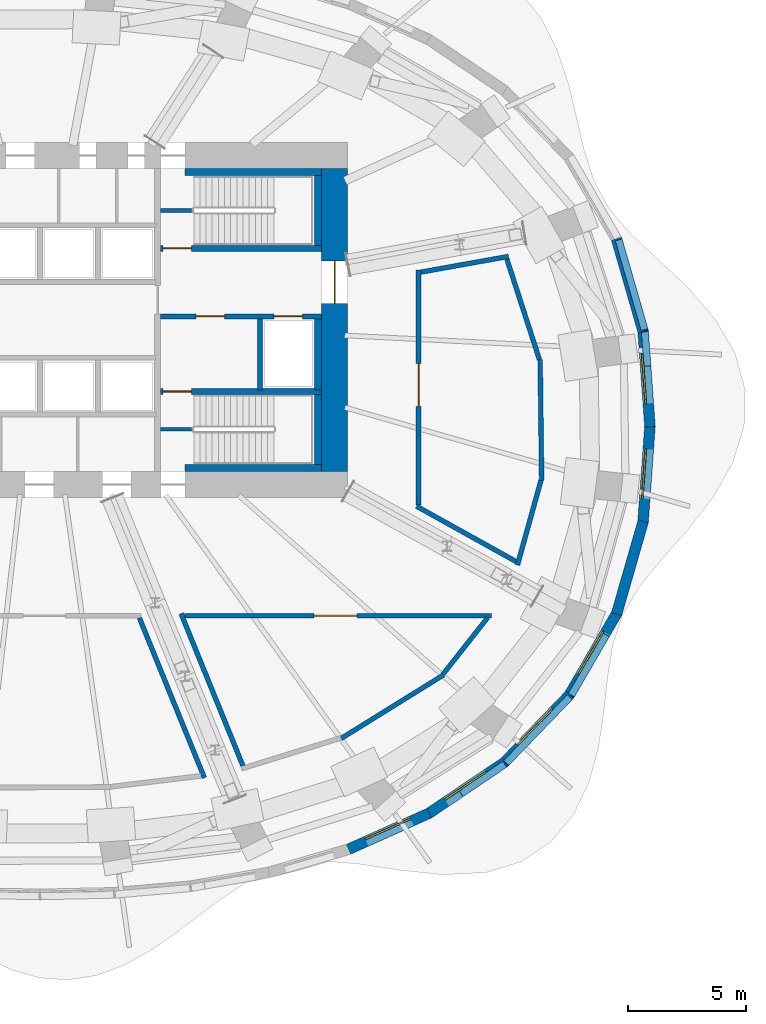
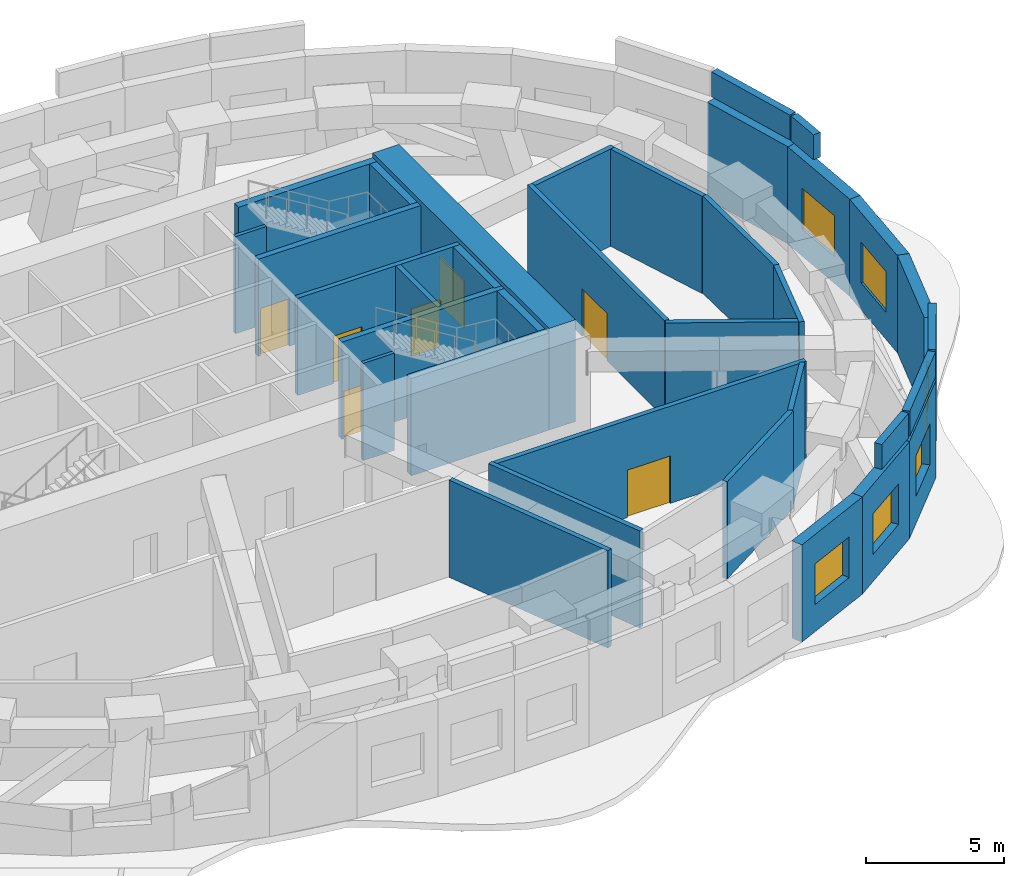
# One storey, part 8 of 11: 36 walls, 7 doors, 6 windows, 13 openings.
"""IFC4 building model written with IfcOpenShell, lengths in metres."""

from ifc_helpers import new_model, si_unit, direction, frame, frame_2d, origin, place, context, subcontext, project, spatial, rectangle, extrude, material, layer, layer_set, type_object, element, fill, save


model = new_model("IFC4")

# Units and contexts
model_context = context("Model", 3, precision=1e-05, world=origin(), true_north=direction((0.0, 1.0)))
body_context = subcontext(model_context, "Body", "Model", "MODEL_VIEW")
ifc_project = project(units=[si_unit("LENGTHUNIT", "METRE"), si_unit("AREAUNIT", "SQUARE_METRE"), si_unit("VOLUMEUNIT", "CUBIC_METRE"), si_unit("PLANEANGLEUNIT", "RADIAN"), si_unit("MASSUNIT", "GRAM", prefix="KILO")], contexts=[model_context])

# Site, building, storey
site_placement = place(None, origin())
site = spatial("IfcSite", under=ifc_project, at=site_placement, CompositionType="ELEMENT")
building_placement = place(site_placement, origin())
building = spatial("IfcBuilding", under=site, at=building_placement, Name="Rubra Terraces Tower", CompositionType="ELEMENT")
storey_placement = place(building_placement, frame((0.0, 0.0, 121.199951171875)))
storey = spatial("IfcBuildingStorey", under=building, at=storey_placement, Name="L29", CompositionType="ELEMENT", Elevation=121.199951171875)

# Wall, opening, window
ifc_material_1 = material(Name="Brick masonry red-brown", Category="masonry")
ifc_layer_1 = layer(ifc_material_1, 0.449951171875)
ifc_layer_set_1 = layer_set([ifc_layer_1], Name="Brick masonry red-brown")
wall_type_1 = type_object("IfcWallType", Name="Brick facade wall 450", PredefinedType="SOLIDWALL", material=ifc_layer_set_1)
wall_1_placement = place(storey_placement, frame((25.775634765625, -0.01611328125, 0.0), z_axis=(0.0, 0.0, 1.0), x_axis=(-0.071761268902, 0.99742183668, 0.0)))
wall_1 = element("IfcWall", 1, at=wall_1_placement, inside=storey, type_object=wall_type_1, Name="Facade wall L29 bay 1", PredefinedType="SOLIDWALL", context=body_context, shape_type="SweptSolid", body=[
    extrude(rectangle(XDim=4.08251953125, YDim=0.449951171875, at=frame_2d((2.041259765625, 0.0))), origin(), (0.0, 0.0, 1.0), 4.300048828125),
])
opening_1_placement = place(wall_1_placement, frame((0.9912109375, 0.0, 1.199951171875)))
opening_1 = element("IfcOpeningElement", 2, at=opening_1_placement, cuts=wall_1, Name="Opening W4", PredefinedType="OPENING", context=body_context, shape_type="SweptSolid", body=[
    extrude(rectangle(XDim=2.10009765625, YDim=1.800048828125, at=frame_2d((1.050048828125, 0.89990234375))), frame((0.0, 0.23486328125, 0.0), z_axis=(0.0, -1.0, 0.0), x_axis=(1.0, 0.0, 0.0)), (0.0, 0.0, 1.0), 0.469970703125),
])
ifc_material_2 = material(Name="Clear glass in aluminium frame", Category="aluminium")
window_type = type_object("IfcWindowType", Name="Louvred plant window 2100 x 1800", PartitioningType="SINGLE_PANEL", PredefinedType="WINDOW", material=ifc_material_2)
window_1_placement = place(opening_1_placement, origin())
window_1 = element("IfcWindow", 3, at=window_1_placement, inside=storey, type_object=window_type, Name="Window L29 bay 1", OverallHeight=1.800048828125, OverallWidth=2.10009765625, PartitioningType="SINGLE_PANEL", PredefinedType="WINDOW", context=body_context, shape_type="SweptSolid", body=[
    extrude(rectangle(XDim=2.10009765625, YDim=1.800048828125, at=frame_2d((1.050048828125, 0.89990234375))), frame((0.0, 0.135009765625, 0.0), z_axis=(0.0, -1.0, 0.0), x_axis=(1.0, 0.0, 0.0)), (0.0, 0.0, 1.0), 0.06005859375),
])
fill(opening_1, window_1)

# Wall
wall_2_placement = place(storey_placement, frame((25.49072265625, 4.009765625, 0.0), z_axis=(0.0, 0.0, 1.0), x_axis=(-0.276398759245, 0.961043040601, 0.0)))
element("IfcWall", 4, at=wall_2_placement, inside=storey, type_object=wall_type_1, Name="Facade wall L29 bay 2", PredefinedType="SOLIDWALL", context=body_context, shape_type="SweptSolid", body=[
    extrude(rectangle(XDim=4.07373046875, YDim=0.449951171875, at=frame_2d((2.036865234375, 0.0))), origin(), (0.0, 0.0, 1.0), 4.300048828125),
])

# Wall, opening, window
wall_3_placement = place(storey_placement, frame((13.0390625, -17.86865234375, 0.0), z_axis=(0.0, 0.0, 1.0), x_axis=(0.912495881005, 0.409085892142, 0.0)))
wall_3 = element("IfcWall", 5, at=wall_3_placement, inside=storey, type_object=wall_type_1, Name="Facade wall L29 bay 35", PredefinedType="SOLIDWALL", context=body_context, shape_type="SweptSolid", body=[
    extrude(rectangle(XDim=3.740234375, YDim=0.449951171875, at=frame_2d((1.8701171875, 0.0))), origin(), (0.0, 0.0, 1.0), 4.300048828125),
])
opening_2_placement = place(wall_3_placement, frame((0.820068359375, 0.0, 1.199951171875)))
opening_2 = element("IfcOpeningElement", 6, at=opening_2_placement, cuts=wall_3, Name="Opening W4", PredefinedType="OPENING", context=body_context, shape_type="SweptSolid", body=[
    extrude(rectangle(XDim=2.10009765625, YDim=1.800048828125, at=frame_2d((1.050048828125, 0.89990234375))), frame((0.0, 0.23486328125, 0.0), z_axis=(0.0, -1.0, 0.0), x_axis=(1.0, 0.0, 0.0)), (0.0, 0.0, 1.0), 0.469970703125),
])
window_2_placement = place(opening_2_placement, origin())
window_2 = element("IfcWindow", 7, at=window_2_placement, inside=storey, type_object=window_type, Name="Window L29 bay 35", OverallHeight=1.800048828125, OverallWidth=2.10009765625, PartitioningType="SINGLE_PANEL", PredefinedType="WINDOW", context=body_context, shape_type="SweptSolid", body=[
    extrude(rectangle(XDim=2.10009765625, YDim=1.800048828125, at=frame_2d((1.050048828125, 0.89990234375))), frame((0.0, 0.135009765625, 0.0), z_axis=(0.0, -1.0, 0.0), x_axis=(1.0, 0.0, 0.0)), (0.0, 0.0, 1.0), 0.06005859375),
])
fill(opening_2, window_2)

wall_4_placement = place(storey_placement, frame((16.418212890625, -16.357421875, 0.0), z_axis=(0.0, 0.0, 1.0), x_axis=(0.829039015156, 0.559190764721, 0.0)))
wall_4 = element("IfcWall", 8, at=wall_4_placement, inside=storey, type_object=wall_type_1, Name="Facade wall L29 bay 36", PredefinedType="SOLIDWALL", context=body_context, shape_type="SweptSolid", body=[
    extrude(rectangle(XDim=3.894775390625, YDim=0.449951171875, at=frame_2d((1.947265625, 0.0))), origin(), (0.0, 0.0, 1.0), 4.300048828125),
])
opening_3_placement = place(wall_4_placement, frame((0.8974609375, 0.0, 1.199951171875)))
opening_3 = element("IfcOpeningElement", 9, at=opening_3_placement, cuts=wall_4, Name="Opening W4", PredefinedType="OPENING", context=body_context, shape_type="SweptSolid", body=[
    extrude(rectangle(XDim=2.10009765625, YDim=1.800048828125, at=frame_2d((1.050048828125, 0.89990234375))), frame((0.0, 0.23486328125, 0.0), z_axis=(0.0, -1.0, 0.0), x_axis=(1.0, 0.0, 0.0)), (0.0, 0.0, 1.0), 0.469970703125),
])
window_3_placement = place(opening_3_placement, origin())
window_3 = element("IfcWindow", 10, at=window_3_placement, inside=storey, type_object=window_type, Name="Window L29 bay 36", OverallHeight=1.800048828125, OverallWidth=2.10009765625, PartitioningType="SINGLE_PANEL", PredefinedType="WINDOW", context=body_context, shape_type="SweptSolid", body=[
    extrude(rectangle(XDim=2.10009765625, YDim=1.800048828125, at=frame_2d((1.050048828125, 0.89990234375))), frame((0.0, 0.135009765625, 0.0), z_axis=(0.0, -1.0, 0.0), x_axis=(1.0, 0.0, 0.0)), (0.0, 0.0, 1.0), 0.06005859375),
])
fill(opening_3, window_3)

wall_5_placement = place(storey_placement, frame((19.611083984375, -14.209716796875, 0.0), z_axis=(0.0, 0.0, 1.0), x_axis=(0.694225992979, 0.719757091436, 0.0)))
wall_5 = element("IfcWall", 11, at=wall_5_placement, inside=storey, type_object=wall_type_1, Name="Facade wall L29 bay 37", PredefinedType="SOLIDWALL", context=body_context, shape_type="SweptSolid", body=[
    extrude(rectangle(XDim=3.9970703125, YDim=0.449951171875, at=frame_2d((1.99853515625, 0.0))), origin(), (0.0, 0.0, 1.0), 4.300048828125),
])
opening_4_placement = place(wall_5_placement, frame((0.948486328125, 0.0, 1.199951171875)))
opening_4 = element("IfcOpeningElement", 12, at=opening_4_placement, cuts=wall_5, Name="Opening W4", PredefinedType="OPENING", context=body_context, shape_type="SweptSolid", body=[
    extrude(rectangle(XDim=2.10009765625, YDim=1.800048828125, at=frame_2d((1.050048828125, 0.89990234375))), frame((0.0, 0.23486328125, 0.0), z_axis=(0.0, -1.0, 0.0), x_axis=(1.0, 0.0, 0.0)), (0.0, 0.0, 1.0), 0.469970703125),
])
window_4_placement = place(opening_4_placement, origin())
window_4 = element("IfcWindow", 13, at=window_4_placement, inside=storey, type_object=window_type, Name="Window L29 bay 37", OverallHeight=1.800048828125, OverallWidth=2.10009765625, PartitioningType="SINGLE_PANEL", PredefinedType="WINDOW", context=body_context, shape_type="SweptSolid", body=[
    extrude(rectangle(XDim=2.10009765625, YDim=1.800048828125, at=frame_2d((1.050048828125, 0.89990234375))), frame((0.0, 0.135009765625, 0.0), z_axis=(0.0, -1.0, 0.0), x_axis=(1.0, 0.0, 0.0)), (0.0, 0.0, 1.0), 0.06005859375),
])
fill(opening_4, window_4)

wall_6_placement = place(storey_placement, frame((22.353515625, -11.3759765625, 0.0), z_axis=(0.0, 0.0, 1.0), x_axis=(0.502055516261, 0.864835393929, 0.0)))
wall_6 = element("IfcWall", 14, at=wall_6_placement, inside=storey, type_object=wall_type_1, Name="Facade wall L29 bay 38", PredefinedType="SOLIDWALL", context=body_context, shape_type="SweptSolid", body=[
    extrude(rectangle(XDim=4.04931640625, YDim=0.449951171875, at=frame_2d((2.024658203125, 0.0))), origin(), (0.0, 0.0, 1.0), 4.300048828125),
])
opening_5_placement = place(wall_6_placement, frame((0.974609375, 0.0, 1.199951171875)))
opening_5 = element("IfcOpeningElement", 15, at=opening_5_placement, cuts=wall_6, Name="Opening W4", PredefinedType="OPENING", context=body_context, shape_type="SweptSolid", body=[
    extrude(rectangle(XDim=2.10009765625, YDim=1.800048828125, at=frame_2d((1.050048828125, 0.89990234375))), frame((0.0, 0.23486328125, 0.0), z_axis=(0.0, -1.0, 0.0), x_axis=(1.0, 0.0, 0.0)), (0.0, 0.0, 1.0), 0.469970703125),
])
window_5_placement = place(opening_5_placement, origin())
window_5 = element("IfcWindow", 16, at=window_5_placement, inside=storey, type_object=window_type, Name="Window L29 bay 38", OverallHeight=1.800048828125, OverallWidth=2.10009765625, PartitioningType="SINGLE_PANEL", PredefinedType="WINDOW", context=body_context, shape_type="SweptSolid", body=[
    extrude(rectangle(XDim=2.10009765625, YDim=1.800048828125, at=frame_2d((1.050048828125, 0.89990234375))), frame((0.0, 0.135009765625, 0.0), z_axis=(0.0, -1.0, 0.0), x_axis=(1.0, 0.0, 0.0)), (0.0, 0.0, 1.0), 0.06005859375),
])
fill(opening_5, window_5)

# Wall
wall_7_placement = place(storey_placement, frame((24.36474609375, -7.9248046875, 0.0), z_axis=(0.0, 0.0, 1.0), x_axis=(0.276398759245, 0.961043040601, 0.0)))
element("IfcWall", 17, at=wall_7_placement, inside=storey, type_object=wall_type_1, Name="Facade wall L29 bay 39", PredefinedType="SOLIDWALL", context=body_context, shape_type="SweptSolid", body=[
    extrude(rectangle(XDim=4.07373046875, YDim=0.449951171875, at=frame_2d((2.036865234375, 0.0))), origin(), (0.0, 0.0, 1.0), 4.300048828125),
])

# Wall, opening, window
wall_8_placement = place(storey_placement, frame((25.482666015625, -4.055908203125, 0.0), z_axis=(0.0, 0.0, 1.0), x_axis=(0.071761268902, 0.99742183668, 0.0)))
wall_8 = element("IfcWall", 18, at=wall_8_placement, inside=storey, type_object=wall_type_1, Name="Facade wall L29 bay 40", PredefinedType="SOLIDWALL", context=body_context, shape_type="SweptSolid", body=[
    extrude(rectangle(XDim=4.08251953125, YDim=0.449951171875, at=frame_2d((2.041259765625, 0.0))), origin(), (0.0, 0.0, 1.0), 4.300048828125),
])
opening_6_placement = place(wall_8_placement, frame((0.9912109375, 0.0, 1.199951171875)))
opening_6 = element("IfcOpeningElement", 19, at=opening_6_placement, cuts=wall_8, Name="Opening W4", PredefinedType="OPENING", context=body_context, shape_type="SweptSolid", body=[
    extrude(rectangle(XDim=2.10009765625, YDim=1.800048828125, at=frame_2d((1.050048828125, 0.89990234375))), frame((0.0, 0.23486328125, 0.0), z_axis=(0.0, -1.0, 0.0), x_axis=(1.0, 0.0, 0.0)), (0.0, 0.0, 1.0), 0.469970703125),
])
window_6_placement = place(opening_6_placement, origin())
window_6 = element("IfcWindow", 20, at=window_6_placement, inside=storey, type_object=window_type, Name="Window L29 bay 40", OverallHeight=1.800048828125, OverallWidth=2.10009765625, PartitioningType="SINGLE_PANEL", PredefinedType="WINDOW", context=body_context, shape_type="SweptSolid", body=[
    extrude(rectangle(XDim=2.10009765625, YDim=1.800048828125, at=frame_2d((1.050048828125, 0.89990234375))), frame((0.0, 0.135009765625, 0.0), z_axis=(0.0, -1.0, 0.0), x_axis=(1.0, 0.0, 0.0)), (0.0, 0.0, 1.0), 0.06005859375),
])
fill(opening_6, window_6)

# Walls
ifc_layer_2 = layer(ifc_material_1, 0.300048828125)
ifc_layer_set_2 = layer_set([ifc_layer_2], Name="Brick masonry red-brown")
wall_type_2 = type_object("IfcWallType", Name="Brick parapet 300", PredefinedType="PARAPET", material=ifc_layer_set_2)
wall_9_placement = place(storey_placement, frame((25.666259765625, 2.549072265625, 4.5), z_axis=(0.0, 0.0, 1.0), x_axis=(-0.07183146282, 0.997416783972, 0.0)))
element("IfcWall", 21, at=wall_9_placement, inside=storey, type_object=wall_type_2, Name="Parapet L29 bay 1", PredefinedType="PARAPET", context=body_context, shape_type="SweptSolid", body=[
    extrude(rectangle(XDim=1.45458984375, YDim=0.300048828125, at=frame_2d((0.727294921875, 0.0))), origin(), (0.0, 0.0, 1.0), 1.10009765625),
])
wall_10_placement = place(storey_placement, frame((25.5458984375, 4.089599609375, 4.5), z_axis=(0.0, 0.0, 1.0), x_axis=(-0.276428883383, 0.961034376301, 0.0)))
element("IfcWall", 22, at=wall_10_placement, inside=storey, type_object=wall_type_2, Name="Parapet L29 bay 2", PredefinedType="PARAPET", context=body_context, shape_type="SweptSolid", body=[
    extrude(rectangle(XDim=3.9453125, YDim=0.300048828125, at=frame_2d((1.97265625, 0.0))), origin(), (0.0, 0.0, 1.0), 1.10009765625),
])
wall_11_placement = place(storey_placement, frame((17.797607421875, -15.517578125, 4.5), z_axis=(0.0, 0.0, 1.0), x_axis=(0.829009285229, 0.559234838868, 0.0)))
element("IfcWall", 23, at=wall_11_placement, inside=storey, type_object=wall_type_2, Name="Parapet L29 bay 36", PredefinedType="PARAPET", context=body_context, shape_type="SweptSolid", body=[
    extrude(rectangle(XDim=2.219970703125, YDim=0.300048828125, at=frame_2d((1.10986328125, 0.0))), origin(), (0.0, 0.0, 1.0), 1.10009765625),
])
wall_12_placement = place(storey_placement, frame((19.707763671875, -14.217529296875, 4.5), z_axis=(0.0, 0.0, 1.0), x_axis=(0.694246491391, 0.719737319576, 0.0)))
element("IfcWall", 24, at=wall_12_placement, inside=storey, type_object=wall_type_2, Name="Parapet L29 bay 37", PredefinedType="PARAPET", context=body_context, shape_type="SweptSolid", body=[
    extrude(rectangle(XDim=3.869384765625, YDim=0.300048828125, at=frame_2d((1.9345703125, 0.0))), origin(), (0.0, 0.0, 1.0), 1.10009765625),
])
wall_13_placement = place(storey_placement, frame((22.45166015625, -11.356201171875, 4.5), z_axis=(0.0, 0.0, 1.0), x_axis=(0.502023447737, 0.864854009601, 0.0)))
element("IfcWall", 25, at=wall_13_placement, inside=storey, type_object=wall_type_2, Name="Parapet L29 bay 38", PredefinedType="PARAPET", context=body_context, shape_type="SweptSolid", body=[
    extrude(rectangle(XDim=2.943115234375, YDim=0.300048828125, at=frame_2d((1.4716796875, 0.0))), origin(), (0.0, 0.0, 1.0), 1.10009765625),
])

# Wall, opening, door
ifc_material_3 = material(Name="Concrete C60", Category="concrete")
ifc_layer_3 = layer(ifc_material_3, 1.10009765625)
ifc_layer_set_3 = layer_set([ifc_layer_3], Name="Concrete C60")
wall_type_3 = type_object("IfcWallType", Name="CORE WALL 1100 C60", PredefinedType="SHEAR", material=ifc_layer_set_3)
wall_14_placement = place(storey_placement, frame((12.449951171875, -1.89990234375, 0.0), z_axis=(0.0, 0.0, 1.0), x_axis=(0.0, 1.0, 0.0)))
wall_14 = element("IfcWall", 26, at=wall_14_placement, inside=storey, type_object=wall_type_3, Name="CORE WALL E L29", PredefinedType="SHEAR", context=body_context, shape_type="SweptSolid", body=[
    extrude(rectangle(XDim=12.7998046875, YDim=1.10009765625, at=frame_2d((6.39990234375, 0.0))), origin(), (0.0, 0.0, 1.0), 4.5),
])
opening_7_placement = place(wall_14_placement, frame((7.10009765625, 0.0, 0.0)))
opening_7 = element("IfcOpeningElement", 27, at=opening_7_placement, cuts=wall_14, Name="Opening L29.C02", PredefinedType="OPENING", context=body_context, shape_type="SweptSolid", body=[
    extrude(rectangle(XDim=1.800048828125, YDim=2.10009765625, at=frame_2d((0.89990234375, 1.050048828125))), frame((0.0, 0.56005859375, 0.0), z_axis=(0.0, -1.0, 0.0), x_axis=(1.0, 0.0, 0.0)), (0.0, 0.0, 1.0), 1.1201171875),
])
ifc_material_4 = material(Name="Painted steel", Category="steel")
door_type_1 = type_object("IfcDoorType", Name="Fire door 1800x2100 double", OperationType="NOTDEFINED", PredefinedType="DOOR", material=ifc_material_4)
door_1_placement = place(opening_7_placement, origin())
door_1 = element("IfcDoor", 28, at=door_1_placement, inside=storey, type_object=door_type_1, Name="Core entrance door FF2", OperationType="DOUBLE_DOOR_SINGLE_SWING", OverallHeight=2.10009765625, OverallWidth=1.800048828125, PredefinedType="DOOR", context=body_context, shape_type="SweptSolid", body=[
    extrude(rectangle(XDim=1.800048828125, YDim=2.10009765625, at=frame_2d((0.89990234375, 1.050048828125))), frame((0.0, 0.02490234375, 0.0), z_axis=(0.0, -1.0, 0.0), x_axis=(1.0, 0.0, 0.0)), (0.0, 0.0, 1.0), 0.050048828125),
])
fill(opening_7, door_1)

# Walls
ifc_material_5 = material(Name="Concrete C40", Category="concrete")
ifc_layer_4 = layer(ifc_material_5, 0.300048828125)
ifc_layer_set_4 = layer_set([ifc_layer_4], Name="Concrete C40")
wall_type_4 = type_object("IfcWallType", Name="Core lining wall 300 concrete", PredefinedType="SOLIDWALL", material=ifc_layer_set_4)
wall_15_placement = place(storey_placement, frame((11.89990234375, 10.75, 0.0), z_axis=(0.0, 0.0, 1.0), x_axis=(-1.0, 0.0, 0.0)))
element("IfcWall", 29, at=wall_15_placement, inside=storey, type_object=wall_type_4, Name="CORE LINING WALL L29", PredefinedType="SOLIDWALL", context=body_context, shape_type="SweptSolid", body=[
    extrude(rectangle(XDim=5.77978515625, YDim=0.300048828125, at=frame_2d((2.889892578125, 0.0))), origin(), (0.0, 0.0, 1.0), 4.300048828125),
])
wall_16_placement = place(storey_placement, frame((11.75, 10.60009765625, 0.0), z_axis=(0.0, 0.0, 1.0), x_axis=(0.0, -1.0, 0.0)))
element("IfcWall", 30, at=wall_16_placement, inside=storey, type_object=wall_type_4, Name="CORE LINING WALL L29", PredefinedType="SOLIDWALL", context=body_context, shape_type="SweptSolid", body=[
    extrude(rectangle(XDim=2.9501953125, YDim=0.300048828125, at=frame_2d((1.47509765625, 0.0))), origin(), (0.0, 0.0, 1.0), 4.300048828125),
])
wall_17_placement = place(storey_placement, frame((11.75, 4.550048828125, 0.0), z_axis=(0.0, 0.0, 1.0), x_axis=(0.0, -1.0, 0.0)))
element("IfcWall", 31, at=wall_17_placement, inside=storey, type_object=wall_type_4, Name="CORE LINING WALL L29", PredefinedType="SOLIDWALL", context=body_context, shape_type="SweptSolid", body=[
    extrude(rectangle(XDim=3.0, YDim=0.300048828125, at=frame_2d((1.5, 0.0))), origin(), (0.0, 0.0, 1.0), 4.300048828125),
])
wall_18_placement = place(storey_placement, frame((11.75, 1.35009765625, 0.0), z_axis=(0.0, 0.0, 1.0), x_axis=(0.0, -1.0, 0.0)))
element("IfcWall", 32, at=wall_18_placement, inside=storey, type_object=wall_type_4, Name="CORE LINING WALL L29", PredefinedType="SOLIDWALL", context=body_context, shape_type="SweptSolid", body=[
    extrude(rectangle(XDim=2.9501953125, YDim=0.300048828125, at=frame_2d((1.47509765625, 0.0))), origin(), (0.0, 0.0, 1.0), 4.300048828125),
])
wall_19_placement = place(storey_placement, frame((11.89990234375, -1.75, 0.0), z_axis=(0.0, 0.0, 1.0), x_axis=(-1.0, 0.0, 0.0)))
element("IfcWall", 33, at=wall_19_placement, inside=storey, type_object=wall_type_4, Name="CORE LINING WALL L29", PredefinedType="SOLIDWALL", context=body_context, shape_type="SweptSolid", body=[
    extrude(rectangle(XDim=5.77978515625, YDim=0.300048828125, at=frame_2d((2.889892578125, 0.0))), origin(), (0.0, 0.0, 1.0), 4.300048828125),
])

# Wall, openings, doors
ifc_material_6 = material(Name="Concrete C30", Category="concrete")
ifc_layer_5 = layer(ifc_material_6, 0.199951171875)
ifc_layer_set_5 = layer_set([ifc_layer_5], Name="Concrete C30")
wall_type_5 = type_object("IfcWallType", Name="Core wall 200 concrete", PredefinedType="SOLIDWALL", material=ifc_layer_set_5)
wall_20_placement = place(storey_placement, frame((11.89990234375, 4.64990234375, 0.0), z_axis=(0.0, 0.0, 1.0), x_axis=(-1.0, 0.0, 0.0)))
wall_20 = element("IfcWall", 34, at=wall_20_placement, inside=storey, type_object=wall_type_5, Name="STAIR WALL L29", PredefinedType="SOLIDWALL", context=body_context, shape_type="SweptSolid", body=[
    extrude(rectangle(XDim=6.7998046875, YDim=0.199951171875, at=frame_2d((3.39990234375, 0.0))), origin(), (0.0, 0.0, 1.0), 4.300048828125),
])
opening_8_placement = place(wall_20_placement, frame((4.10009765625, 0.0, 0.0)))
opening_8 = element("IfcOpeningElement", 35, at=opening_8_placement, cuts=wall_20, Name="Opening L29.C06", PredefinedType="OPENING", context=body_context, shape_type="SweptSolid", body=[
    extrude(rectangle(XDim=1.199951171875, YDim=2.10009765625, at=frame_2d((0.60009765625, 1.050048828125))), frame((0.0, 0.10986328125, 0.0), z_axis=(0.0, -1.0, 0.0), x_axis=(1.0, 0.0, 0.0)), (0.0, 0.0, 1.0), 0.219970703125),
])
opening_9_placement = place(wall_20_placement, frame((0.800048828125, 0.0, 0.0)))
opening_9 = element("IfcOpeningElement", 36, at=opening_9_placement, cuts=wall_20, Name="Opening L29.C12", PredefinedType="OPENING", context=body_context, shape_type="SweptSolid", body=[
    extrude(rectangle(XDim=1.199951171875, YDim=2.10009765625, at=frame_2d((0.60009765625, 1.050048828125))), frame((0.0, 0.10986328125, 0.0), z_axis=(0.0, -1.0, 0.0), x_axis=(1.0, 0.0, 0.0)), (0.0, 0.0, 1.0), 0.219970703125),
])
door_type_2 = type_object("IfcDoorType", Name="Fire door 1200x2100 single", OperationType="NOTDEFINED", PredefinedType="DOOR", material=ifc_material_4)
door_2_placement = place(opening_8_placement, origin())
door_2 = element("IfcDoor", 37, at=door_2_placement, inside=storey, type_object=door_type_2, Name="Stair vestibule door S4", OperationType="SINGLE_SWING_RIGHT", OverallHeight=2.10009765625, OverallWidth=1.199951171875, PredefinedType="DOOR", context=body_context, shape_type="SweptSolid", body=[
    extrude(rectangle(XDim=1.199951171875, YDim=2.10009765625, at=frame_2d((0.60009765625, 1.050048828125))), frame((0.0, 0.02490234375, 0.0), z_axis=(0.0, -1.0, 0.0), x_axis=(1.0, 0.0, 0.0)), (0.0, 0.0, 1.0), 0.050048828125),
])
fill(opening_8, door_2)
ifc_material_7 = material(Name="Stainless steel", Category="steel")
door_type_3 = type_object("IfcDoorType", Name="Lift landing door 1200x2100", OperationType="NOTDEFINED", PredefinedType="DOOR", material=ifc_material_7)
door_3_placement = place(opening_9_placement, origin())
door_3 = element("IfcDoor", 38, at=door_3_placement, inside=storey, type_object=door_type_3, Name="Landing door FF2", OperationType="SLIDING_TO_RIGHT", OverallHeight=2.10009765625, OverallWidth=1.199951171875, PredefinedType="DOOR", context=body_context, shape_type="SweptSolid", body=[
    extrude(rectangle(XDim=1.199951171875, YDim=2.10009765625, at=frame_2d((0.60009765625, 1.050048828125))), frame((0.0, 0.02490234375, 0.0), z_axis=(0.0, -1.0, 0.0), x_axis=(1.0, 0.0, 0.0)), (0.0, 0.0, 1.0), 0.050048828125),
])
fill(opening_9, door_3)

# Walls
wall_21_placement = place(storey_placement, frame((9.300048828125, 4.550048828125, 0.0), z_axis=(0.0, 0.0, 1.0), x_axis=(0.0, -1.0, 0.0)))
element("IfcWall", 39, at=wall_21_placement, inside=storey, type_object=wall_type_5, Name="STAIR WALL L29", PredefinedType="SOLIDWALL", context=body_context, shape_type="SweptSolid", body=[
    extrude(rectangle(XDim=3.0, YDim=0.199951171875, at=frame_2d((1.5, 0.0))), origin(), (0.0, 0.0, 1.0), 4.300048828125),
])
ifc_material_8 = material(Name="Blockwork", Category="masonry")
ifc_layer_6 = layer(ifc_material_8, 0.199951171875)
ifc_layer_set_6 = layer_set([ifc_layer_6], Name="Blockwork")
wall_type_6 = type_object("IfcWallType", Name="Corridor partition 200 blockwork", PredefinedType="PARTITIONING", material=ifc_layer_set_6)
wall_22_placement = place(storey_placement, frame((4.202880859375, -8.093017578125, 0.0), z_axis=(0.0, 0.0, 1.0), x_axis=(0.376696822857, -0.926336603859, 0.0)))
element("IfcWall", 40, at=wall_22_placement, inside=storey, type_object=wall_type_6, Name="Partition wall", PredefinedType="PARTITIONING", context=body_context, shape_type="SweptSolid", body=[
    extrude(rectangle(XDim=7.2900390625, YDim=0.199951171875, at=frame_2d((3.64501953125, 0.0))), origin(), (0.0, 0.0, 1.0), 4.300048828125),
])
wall_23_placement = place(storey_placement, frame((17.052978515625, -10.4990234375, 0.0), z_axis=(0.0, 0.0, 1.0), x_axis=(-0.849566735231, -0.527481148847, 0.0)))
element("IfcWall", 41, at=wall_23_placement, inside=storey, type_object=wall_type_6, Name="Partition wall", PredefinedType="PARTITIONING", context=body_context, shape_type="SweptSolid", body=[
    extrude(rectangle(XDim=5.086181640625, YDim=0.199951171875, at=frame_2d((2.54296875, 0.0))), origin(), (0.0, 0.0, 1.0), 4.300048828125),
])
wall_24_placement = place(storey_placement, frame((8.577880859375, -14.340087890625, 0.0), z_axis=(0.0, 0.0, 1.0), x_axis=(-0.376688206905, 0.926340107508, 0.0)))
element("IfcWall", 42, at=wall_24_placement, inside=storey, type_object=wall_type_6, Name="Partition wall", PredefinedType="PARTITIONING", context=body_context, shape_type="SweptSolid", body=[
    extrude(rectangle(XDim=6.944580078125, YDim=0.199951171875, at=frame_2d((3.47216796875, 0.0))), origin(), (0.0, 0.0, 1.0), 4.300048828125),
])

# Wall, opening, door
wall_25_placement = place(storey_placement, frame((6.10009765625, -8.0, 0.0), z_axis=(0.0, 0.0, 1.0), x_axis=(1.0, 0.0, 0.0)))
wall_25 = element("IfcWall", 43, at=wall_25_placement, inside=storey, type_object=wall_type_6, Name="Partition wall", PredefinedType="PARTITIONING", context=body_context, shape_type="SweptSolid", body=[
    extrude(rectangle(XDim=12.97900390625, YDim=0.199951171875, at=frame_2d((6.489501953125, 0.0))), origin(), (0.0, 0.0, 1.0), 4.300048828125),
])
opening_10_placement = place(wall_25_placement, frame((5.489013671875, 0.0, 0.0)))
opening_10 = element("IfcOpeningElement", 44, at=opening_10_placement, cuts=wall_25, Name="Opening DB3", PredefinedType="OPENING", context=body_context, shape_type="SweptSolid", body=[
    extrude(rectangle(XDim=1.800048828125, YDim=2.10009765625, at=frame_2d((0.89990234375, 1.050048828125))), frame((0.0, 0.10986328125, 0.0), z_axis=(0.0, -1.0, 0.0), x_axis=(1.0, 0.0, 0.0)), (0.0, 0.0, 1.0), 0.219970703125),
])
door_type_4 = type_object("IfcDoorType", Name="Door 1800x2100 double", OperationType="NOTDEFINED", PredefinedType="DOOR", material=ifc_material_4)
door_4_placement = place(opening_10_placement, origin())
door_4 = element("IfcDoor", 45, at=door_4_placement, inside=storey, type_object=door_type_4, Name="Refuge area door L29-03", OperationType="DOUBLE_DOOR_SINGLE_SWING", OverallHeight=2.10009765625, OverallWidth=1.800048828125, PredefinedType="DOOR", context=body_context, shape_type="SweptSolid", body=[
    extrude(rectangle(XDim=1.800048828125, YDim=2.10009765625, at=frame_2d((0.89990234375, 1.050048828125))), frame((0.0, 0.02490234375, 0.0), z_axis=(0.0, -1.0, 0.0), x_axis=(1.0, 0.0, 0.0)), (0.0, 0.0, 1.0), 0.050048828125),
])
fill(opening_10, door_4)

# Walls
wall_26_placement = place(storey_placement, frame((18.9169921875, -8.0791015625, 0.0), z_axis=(0.0, 0.0, 1.0), x_axis=(-0.619062396882, -0.785341803782, 0.0)))
element("IfcWall", 46, at=wall_26_placement, inside=storey, type_object=wall_type_6, Name="Partition wall", PredefinedType="PARTITIONING", context=body_context, shape_type="SweptSolid", body=[
    extrude(rectangle(XDim=3.048095703125, YDim=0.199951171875, at=frame_2d((1.52392578125, 0.0))), origin(), (0.0, 0.0, 1.0), 4.300048828125),
])
wall_27_placement = place(storey_placement, frame((21.135986328125, 2.830078125, 0.0), z_axis=(0.0, 0.0, 1.0), x_axis=(0.012513947205, -0.999921697497, 0.0)))
element("IfcWall", 47, at=wall_27_placement, inside=storey, type_object=wall_type_6, Name="Partition wall", PredefinedType="PARTITIONING", context=body_context, shape_type="SweptSolid", body=[
    extrude(rectangle(XDim=5.111572265625, YDim=0.199951171875, at=frame_2d((2.5556640625, 0.0))), origin(), (0.0, 0.0, 1.0), 4.300048828125),
])
wall_28_placement = place(storey_placement, frame((21.172119140625, -2.277099609375, 0.0), z_axis=(0.0, 0.0, 1.0), x_axis=(-0.267782922221, -0.963479271478, 0.0)))
element("IfcWall", 48, at=wall_28_placement, inside=storey, type_object=wall_type_6, Name="Partition wall", PredefinedType="PARTITIONING", context=body_context, shape_type="SweptSolid", body=[
    extrude(rectangle(XDim=3.71240234375, YDim=0.199951171875, at=frame_2d((1.856201171875, 0.0))), origin(), (0.0, 0.0, 1.0), 4.300048828125),
])
wall_29_placement = place(storey_placement, frame((20.117919921875, -5.708984375, 0.0), z_axis=(0.0, 0.0, 1.0), x_axis=(-0.874078265919, 0.4857851223, 0.0)))
element("IfcWall", 49, at=wall_29_placement, inside=storey, type_object=wall_type_6, Name="Partition wall", PredefinedType="PARTITIONING", context=body_context, shape_type="SweptSolid", body=[
    extrude(rectangle(XDim=4.810546875, YDim=0.199951171875, at=frame_2d((2.4052734375, 0.0))), origin(), (0.0, 0.0, 1.0), 4.300048828125),
])

# Wall, opening, door
wall_30_placement = place(storey_placement, frame((16.0, -3.321044921875, 0.0), z_axis=(0.0, 0.0, 1.0), x_axis=(0.0, 1.0, 0.0)))
wall_30 = element("IfcWall", 50, at=wall_30_placement, inside=storey, type_object=wall_type_6, Name="Partition wall", PredefinedType="PARTITIONING", context=body_context, shape_type="SweptSolid", body=[
    extrude(rectangle(XDim=9.924072265625, YDim=0.199951171875, at=frame_2d((4.9619140625, 0.0))), origin(), (0.0, 0.0, 1.0), 4.300048828125),
])
opening_11_placement = place(wall_30_placement, frame((4.173095703125, 0.0, 0.0)))
opening_11 = element("IfcOpeningElement", 51, at=opening_11_placement, cuts=wall_30, Name="Opening DB3", PredefinedType="OPENING", context=body_context, shape_type="SweptSolid", body=[
    extrude(rectangle(XDim=1.800048828125, YDim=2.10009765625, at=frame_2d((0.89990234375, 1.050048828125))), frame((0.0, 0.10986328125, 0.0), z_axis=(0.0, -1.0, 0.0), x_axis=(1.0, 0.0, 0.0)), (0.0, 0.0, 1.0), 0.219970703125),
])
door_5_placement = place(opening_11_placement, origin())
door_5 = element("IfcDoor", 52, at=door_5_placement, inside=storey, type_object=door_type_4, Name="Refuge area door L29-05", OperationType="DOUBLE_DOOR_SINGLE_SWING", OverallHeight=2.10009765625, OverallWidth=1.800048828125, PredefinedType="DOOR", context=body_context, shape_type="SweptSolid", body=[
    extrude(rectangle(XDim=1.800048828125, YDim=2.10009765625, at=frame_2d((0.89990234375, 1.050048828125))), frame((0.0, 0.02490234375, 0.0), z_axis=(0.0, -1.0, 0.0), x_axis=(1.0, 0.0, 0.0)), (0.0, 0.0, 1.0), 0.050048828125),
])
fill(opening_11, door_5)

# Walls
wall_31_placement = place(storey_placement, frame((16.097900390625, 6.52099609375, 0.0), z_axis=(0.0, 0.0, 1.0), x_axis=(0.984311730904, 0.176438137615, 0.0)))
element("IfcWall", 53, at=wall_31_placement, inside=storey, type_object=wall_type_6, Name="Partition wall", PredefinedType="PARTITIONING", context=body_context, shape_type="SweptSolid", body=[
    extrude(rectangle(XDim=3.758056640625, YDim=0.199951171875, at=frame_2d((1.87890625, 0.0))), origin(), (0.0, 0.0, 1.0), 4.300048828125),
])
wall_32_placement = place(storey_placement, frame((19.72998046875, 7.071044921875, 0.0), z_axis=(0.0, 0.0, 1.0), x_axis=(0.308274620054, -0.951297408086, 0.0)))
element("IfcWall", 54, at=wall_32_placement, inside=storey, type_object=wall_type_6, Name="Partition wall", PredefinedType="PARTITIONING", context=body_context, shape_type="SweptSolid", body=[
    extrude(rectangle(XDim=4.46337890625, YDim=0.199951171875, at=frame_2d((2.231689453125, 0.0))), origin(), (0.0, 0.0, 1.0), 4.300048828125),
])

# Wall, opening, door
ifc_layer_7 = layer(ifc_material_5, 0.25)
ifc_layer_set_7 = layer_set([ifc_layer_7], Name="Concrete C40")
wall_type_7 = type_object("IfcWallType", Name="Stair enclosure wall 250 concrete", PredefinedType="SOLIDWALL", material=ifc_layer_set_7)
wall_33_placement = place(storey_placement, frame((11.89990234375, 7.52490234375, 0.0), z_axis=(0.0, 0.0, 1.0), x_axis=(-1.0, 0.0, 0.0)))
wall_33 = element("IfcWall", 55, at=wall_33_placement, inside=storey, type_object=wall_type_7, Name="STAIR WALL L29", PredefinedType="SOLIDWALL", context=body_context, shape_type="SweptSolid", body=[
    extrude(rectangle(XDim=6.7998046875, YDim=0.25, at=frame_2d((3.39990234375, 0.0))), origin(), (0.0, 0.0, 1.0), 4.300048828125),
])
opening_12_placement = place(wall_33_placement, frame((5.5, 0.0, 0.0)))
opening_12 = element("IfcOpeningElement", 56, at=opening_12_placement, cuts=wall_33, Name="Opening L29.C08", PredefinedType="OPENING", context=body_context, shape_type="SweptSolid", body=[
    extrude(rectangle(XDim=1.199951171875, YDim=2.10009765625, at=frame_2d((0.60009765625, 1.050048828125))), frame((0.0, 0.135009765625, 0.0), z_axis=(0.0, -1.0, 0.0), x_axis=(1.0, 0.0, 0.0)), (0.0, 0.0, 1.0), 0.27001953125),
])
door_6_placement = place(opening_12_placement, origin())
door_6 = element("IfcDoor", 57, at=door_6_placement, inside=storey, type_object=door_type_2, Name="Stair door S3", OperationType="SINGLE_SWING_RIGHT", OverallHeight=2.10009765625, OverallWidth=1.199951171875, PredefinedType="DOOR", context=body_context, shape_type="SweptSolid", body=[
    extrude(rectangle(XDim=1.199951171875, YDim=2.10009765625, at=frame_2d((0.60009765625, 1.050048828125))), frame((0.0, 0.02490234375, 0.0), z_axis=(0.0, -1.0, 0.0), x_axis=(1.0, 0.0, 0.0)), (0.0, 0.0, 1.0), 0.050048828125),
])
fill(opening_12, door_6)

wall_34_placement = place(storey_placement, frame((11.89990234375, 1.47509765625, 0.0), z_axis=(0.0, 0.0, 1.0), x_axis=(-1.0, 0.0, 0.0)))
wall_34 = element("IfcWall", 58, at=wall_34_placement, inside=storey, type_object=wall_type_7, Name="STAIR WALL L29", PredefinedType="SOLIDWALL", context=body_context, shape_type="SweptSolid", body=[
    extrude(rectangle(XDim=6.7998046875, YDim=0.25, at=frame_2d((3.39990234375, 0.0))), origin(), (0.0, 0.0, 1.0), 4.300048828125),
])
opening_13_placement = place(wall_34_placement, frame((5.5, 0.0, 0.0)))
opening_13 = element("IfcOpeningElement", 59, at=opening_13_placement, cuts=wall_34, Name="Opening L29.C10", PredefinedType="OPENING", context=body_context, shape_type="SweptSolid", body=[
    extrude(rectangle(XDim=1.199951171875, YDim=2.10009765625, at=frame_2d((0.60009765625, 1.050048828125))), frame((0.0, 0.135009765625, 0.0), z_axis=(0.0, -1.0, 0.0), x_axis=(1.0, 0.0, 0.0)), (0.0, 0.0, 1.0), 0.27001953125),
])
door_7_placement = place(opening_13_placement, origin())
door_7 = element("IfcDoor", 60, at=door_7_placement, inside=storey, type_object=door_type_2, Name="Stair door S4", OperationType="SINGLE_SWING_RIGHT", OverallHeight=2.10009765625, OverallWidth=1.199951171875, PredefinedType="DOOR", context=body_context, shape_type="SweptSolid", body=[
    extrude(rectangle(XDim=1.199951171875, YDim=2.10009765625, at=frame_2d((0.60009765625, 1.050048828125))), frame((0.0, 0.02490234375, 0.0), z_axis=(0.0, -1.0, 0.0), x_axis=(1.0, 0.0, 0.0)), (0.0, 0.0, 1.0), 0.050048828125),
])
fill(opening_13, door_7)

# Walls
ifc_layer_8 = layer(ifc_material_5, 0.14990234375)
ifc_layer_set_8 = layer_set([ifc_layer_8], Name="Concrete C40")
wall_type_8 = type_object("IfcWallType", Name="Stair separation wall 150 concrete", PredefinedType="SOLIDWALL", material=ifc_layer_set_8)
for number, where, z_axis, x_axis, name in (
    (61, (6.39990234375, 9.125, 0.0), (0.0, 0.0, 1.0), (-1.0, 0.0, 0.0), "STAIR SEPARATION WALL L29"),
    (62, (6.39990234375, -0.125, 0.0), (0.0, 0.0, 1.0), (-1.0, 0.0, 0.0), "STAIR SEPARATION WALL L29"),
):
    element("IfcWall", number, at=place(storey_placement, frame(where, z_axis=z_axis, x_axis=x_axis)), inside=storey, type_object=wall_type_8, Name=name, PredefinedType="SOLIDWALL", context=body_context, shape_type="SweptSolid", body=[
        extrude(rectangle(XDim=1.2998046875, YDim=0.14990234375, at=frame_2d((0.64990234375, 0.0))), origin(), (0.0, 0.0, 1.0), 4.300048828125),
    ])

save(model, "model.ifc")
